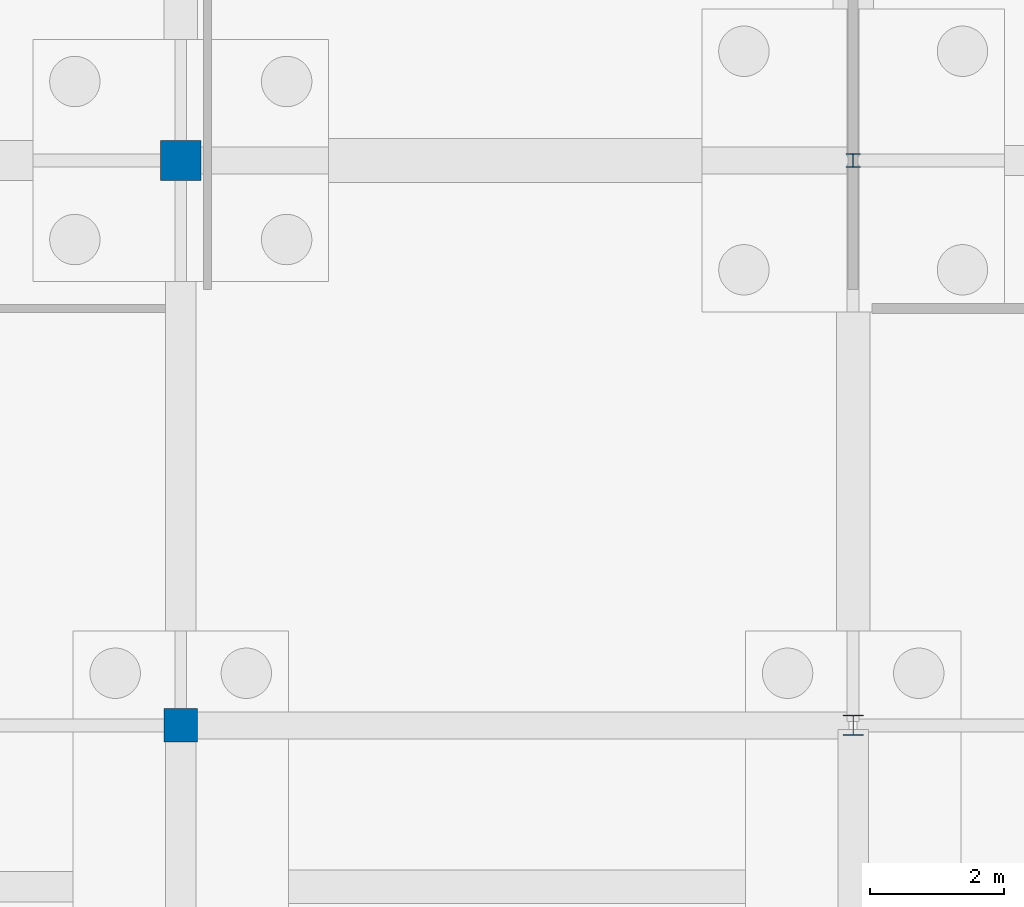
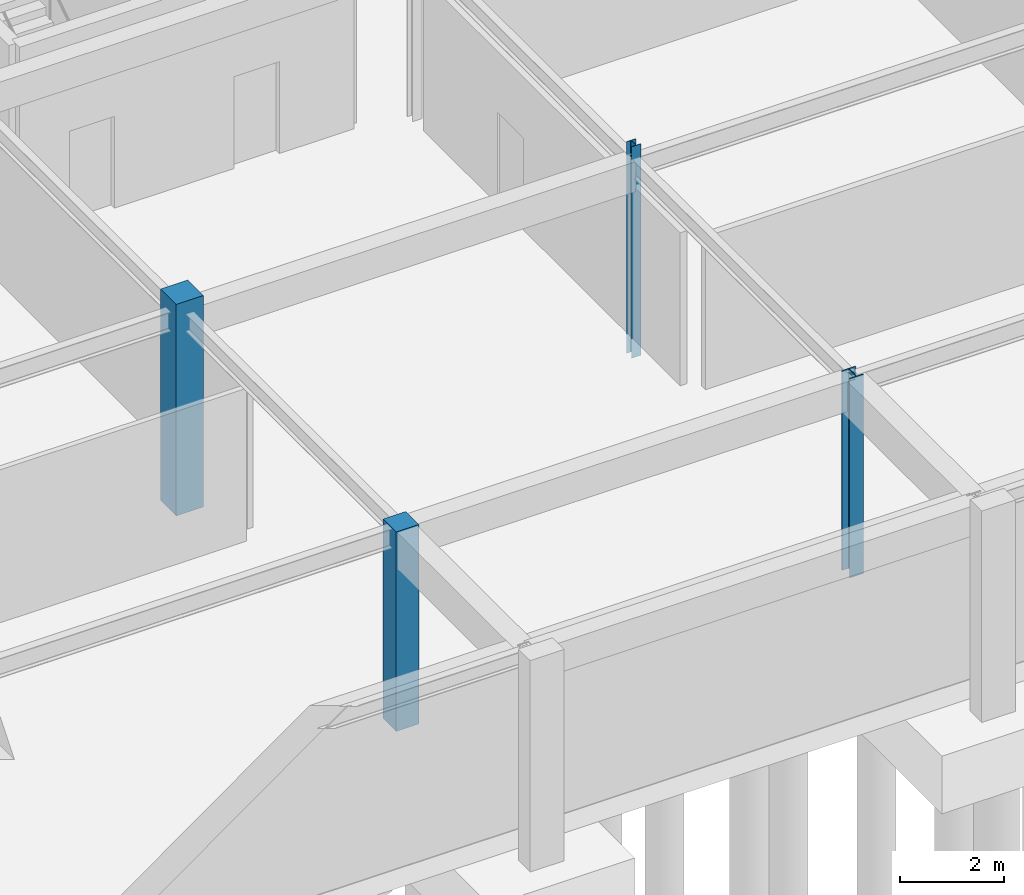
# One storey, part 37 of 75: 4 columns.
"""IFC4 building model written with IfcOpenShell, lengths in metres."""

from ifc_helpers import new_model, si_unit, derived_unit, direction, frame, origin, origin_2d_with_axis, place, context, subcontext, project, spatial, rectangle, i_section, extrude, material, material_profile, profile_set, type_object, element, save


model = new_model("IFC4")

# Units and contexts
model_context = context("Model", 3, precision=1e-05, world=origin(), true_north=direction((0.0, 1.0)))
body_context = subcontext(model_context, "Body", "Model", "MODEL_VIEW")
ifc_project = project(units=[si_unit("LENGTHUNIT", "METRE"), si_unit("AREAUNIT", "SQUARE_METRE"), si_unit("VOLUMEUNIT", "CUBIC_METRE"), si_unit("PLANEANGLEUNIT", "RADIAN"), si_unit("MASSUNIT", "GRAM", prefix="KILO"), derived_unit("THERMALTRANSMITTANCEUNIT", [(si_unit("POWERUNIT", "WATT"), 1), (si_unit("LENGTHUNIT", "METRE"), -2), (si_unit("THERMODYNAMICTEMPERATUREUNIT", "KELVIN"), -1)])], contexts=[model_context])

# Site, building, storey
site_placement = place(None, origin())
site = spatial("IfcSite", under=ifc_project, at=site_placement, CompositionType="ELEMENT")
building_placement = place(site_placement, origin())
building = spatial("IfcBuilding", under=site, at=building_placement, Name="Cinnabar Yard Market Hall", CompositionType="ELEMENT")
storey_placement = place(building_placement, frame((0.0, 0.0, -4.5)))
storey = spatial("IfcBuildingStorey", under=building, at=storey_placement, Name="B1", CompositionType="ELEMENT", Elevation=-4.5)

# Columns
ifc_material_1 = material(Name="Steel Grade 300 (300 MPa)", Category="steel")
ifc_material_profile_1 = material_profile(ifc_material_1, i_section(OverallWidth=0.304931640625, OverallDepth=0.30810546875, WebThickness=0.010009765625, FlangeThickness=0.015380859375, FilletRadius=0.0166015625, at=origin_2d_with_axis()), Name="310UC96.8")
ifc_profile_set_1 = profile_set([ifc_material_profile_1], Name="Steel Grade 300 (300 MPa)")
column_type_1 = type_object("IfcColumnType", Name="COL-C09", PredefinedType="COLUMN", material=ifc_profile_set_1)
column_1_placement = place(storey_placement, frame((136.0, 112.800048828125, -0.449951171875), z_axis=(0.0, 0.0, 1.0), x_axis=(1.0, 0.0, 0.0)))
element("IfcColumn", 1, at=column_1_placement, inside=storey, type_object=column_type_1, Name="Wing Column V3-08-02 B1", PredefinedType="COLUMN", context=body_context, shape_type="SweptSolid", body=[
    extrude(i_section(OverallWidth=0.304931640625, OverallDepth=0.30810546875, WebThickness=0.010009765625, FlangeThickness=0.015380859375, FilletRadius=0.0166015625, at=origin_2d_with_axis()), origin(), (0.0, 0.0, 1.0), 4.669921875),
])
ifc_material_profile_2 = material_profile(ifc_material_1, i_section(OverallWidth=0.203369140625, OverallDepth=0.203369140625, WebThickness=0.00732421875, FlangeThickness=0.010986328125, FilletRadius=0.011474609375, at=origin_2d_with_axis()), Name="200UC46.2")
ifc_profile_set_2 = profile_set([ifc_material_profile_2], Name="Steel Grade 300 (300 MPa)")
column_type_2 = type_object("IfcColumnType", Name="COL-C13", PredefinedType="COLUMN", material=ifc_profile_set_2)
column_2_placement = place(storey_placement, frame((136.0, 121.199951171875, -0.449951171875), z_axis=(0.0, 0.0, 1.0), x_axis=(1.0, 0.0, 0.0)))
element("IfcColumn", 2, at=column_2_placement, inside=storey, type_object=column_type_2, Name="Wing Column V3-08-03 B1", PredefinedType="COLUMN", context=body_context, shape_type="SweptSolid", body=[
    extrude(i_section(OverallWidth=0.203369140625, OverallDepth=0.203369140625, WebThickness=0.00732421875, FlangeThickness=0.010986328125, FilletRadius=0.011474609375, at=origin_2d_with_axis()), origin(), (0.0, 0.0, 1.0), 4.949951171875),
])
ifc_material_2 = material(Name="Concrete 40 MPa", Category="concrete")
ifc_material_profile_3 = material_profile(ifc_material_2, rectangle(XDim=0.5, YDim=0.5, at=origin_2d_with_axis()), Name="RC-500x500")
ifc_profile_set_3 = profile_set([ifc_material_profile_3], Name="Concrete 40 MPa")
column_type_3 = type_object("IfcColumnType", Name="COL-RC1", PredefinedType="COLUMN", material=ifc_profile_set_3)
column_3_placement = place(storey_placement, frame((126.0, 112.800048828125, -0.449951171875), z_axis=(0.0, 0.0, 1.0), x_axis=(1.0, 0.0, 0.0)))
element("IfcColumn", 3, at=column_3_placement, inside=storey, type_object=column_type_3, Name="Wing Column V3-07-02 B1", PredefinedType="COLUMN", context=body_context, shape_type="SweptSolid", body=[
    extrude(rectangle(XDim=0.5, YDim=0.5, at=origin_2d_with_axis()), origin(), (0.0, 0.0, 1.0), 4.669921875),
])
ifc_material_profile_4 = material_profile(ifc_material_2, rectangle(XDim=0.60009765625, YDim=0.60009765625, at=origin_2d_with_axis()), Name="RC-600x600")
ifc_profile_set_4 = profile_set([ifc_material_profile_4], Name="Concrete 40 MPa")
column_type_4 = type_object("IfcColumnType", Name="COL-RC2", PredefinedType="COLUMN", material=ifc_profile_set_4)
column_4_placement = place(storey_placement, frame((126.0, 121.199951171875, -0.449951171875), z_axis=(0.0, 0.0, 1.0), x_axis=(1.0, 0.0, 0.0)))
element("IfcColumn", 4, at=column_4_placement, inside=storey, type_object=column_type_4, Name="Wing Column V3-07-03 B1", PredefinedType="COLUMN", context=body_context, shape_type="SweptSolid", body=[
    extrude(rectangle(XDim=0.60009765625, YDim=0.60009765625, at=origin_2d_with_axis()), origin(), (0.0, 0.0, 1.0), 4.949951171875),
])

save(model, "model.ifc")
